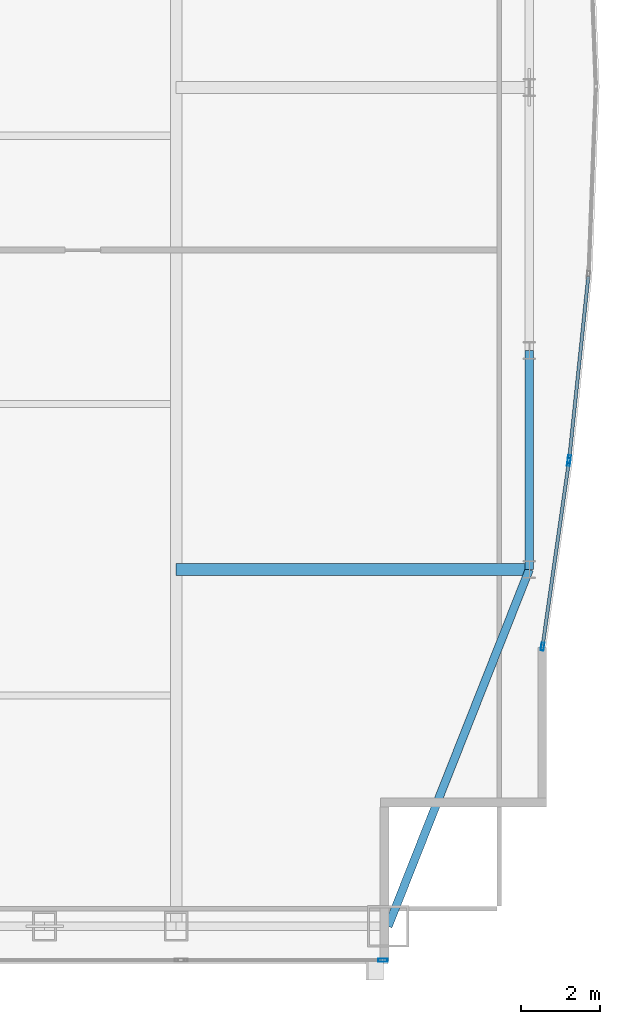
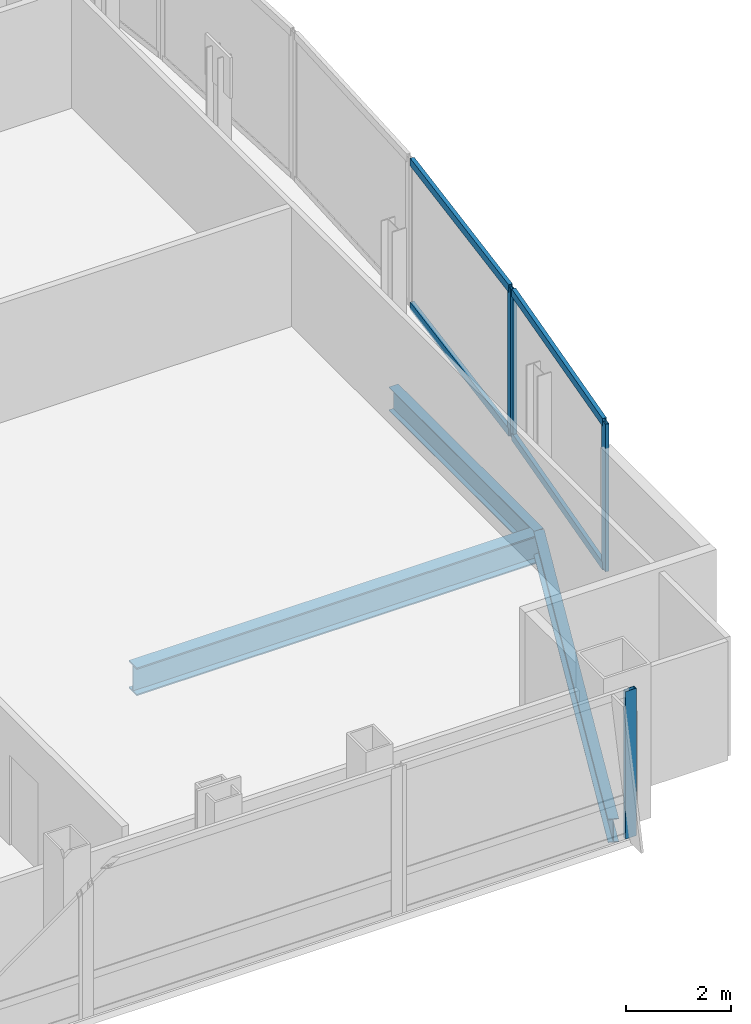
# One storey, part 16 of 30: 8 members, 3 beams, 3 elements without a shape of their own.
"""IFC4 building model written with IfcOpenShell, lengths in metres."""

from ifc_helpers import new_model, si_unit, direction, frame, origin, origin_2d, place, context, subcontext, project, spatial, hollow_rectangle, i_section, extrude, material, material_profile, profile_set, type_object, element, aggregate, save


model = new_model("IFC4")

# Units and contexts
model_context = context("Model", 3, precision=1e-05, world=origin(), true_north=direction((0.0, 1.0)))
body_context = subcontext(model_context, "Body", "Model", "MODEL_VIEW")
ifc_project = project(units=[si_unit("LENGTHUNIT", "METRE"), si_unit("AREAUNIT", "SQUARE_METRE"), si_unit("VOLUMEUNIT", "CUBIC_METRE"), si_unit("PLANEANGLEUNIT", "RADIAN"), si_unit("MASSUNIT", "GRAM", prefix="KILO")], contexts=[model_context])

# Site, building, storey
site_placement = place(None, origin())
site = spatial("IfcSite", under=ifc_project, at=site_placement, CompositionType="ELEMENT")
building_placement = place(site_placement, origin())
building = spatial("IfcBuilding", under=site, at=building_placement, Name="Khoronbel Lancet Exchange", CompositionType="ELEMENT")
storey_placement = place(building_placement, frame((0.0, 0.0, 280.60009765625)))
storey = spatial("IfcBuildingStorey", under=building, at=storey_placement, Name="L72", CompositionType="ELEMENT", Elevation=280.60009765625)

# Beams
ifc_material_1 = material(Name="Steel S355", Category="steel")
ifc_material_profile_1 = material_profile(ifc_material_1, i_section(OverallWidth=0.300048828125, OverallDepth=0.64990234375, WebThickness=0.01611328125, FlangeThickness=0.031005859375, at=origin_2d()), Name="HEB 650")
ifc_profile_set_1 = profile_set([ifc_material_profile_1], Name="Steel S355")
beam_type_1 = type_object("IfcBeamType", Name="BM-BG4", PredefinedType="BEAM", material=ifc_profile_set_1)
beam_1_placement = place(storey_placement, frame((54.675048828125, 19.199951171875, -0.485107421875), z_axis=(1.0, 0.0, 0.0), x_axis=(0.0, 1.0, 0.0)))
element("IfcBeam", 1, at=beam_1_placement, inside=storey, type_object=beam_type_1, Name="Level L72 east lens tie girder LG1E", PredefinedType="BEAM", context=body_context, shape_type="SweptSolid", body=[
    extrude(i_section(OverallWidth=0.300048828125, OverallDepth=0.64990234375, WebThickness=0.01611328125, FlangeThickness=0.031005859375, at=origin_2d()), origin(), (0.0, 0.0, 1.0), 8.954833984375),
])
ifc_material_profile_2 = material_profile(ifc_material_1, i_section(OverallWidth=0.2099609375, OverallDepth=0.550048828125, WebThickness=0.010986328125, FlangeThickness=0.01708984375, at=origin_2d()), Name="IPE 550")
ifc_profile_set_2 = profile_set([ifc_material_profile_2], Name="Steel S355")
beam_type_2 = type_object("IfcBeamType", Name="BM-BSP3", PredefinedType="SPANDREL", material=ifc_profile_set_2)
beam_2_placement = place(storey_placement, frame((60.050048828125, 10.14990234375, -0.43505859375), z_axis=(0.367828403855, 0.929893684954, 0.0), x_axis=(-0.929893684954, 0.367828403855, 0.0)))
element("IfcBeam", 2, at=beam_2_placement, inside=storey, type_object=beam_type_2, Name="Level L72 perimeter spandrel beam SP10", PredefinedType="SPANDREL", context=body_context, shape_type="SweptSolid", body=[
    extrude(i_section(OverallWidth=0.2099609375, OverallDepth=0.550048828125, WebThickness=0.010986328125, FlangeThickness=0.01708984375, at=origin_2d()), origin(), (0.0, 0.0, 1.0), 9.732421875),
])
beam_3_placement = place(storey_placement, frame((63.6298828125, 19.199951171875, -0.43505859375), z_axis=(0.0, 1.0, 0.0), x_axis=(-1.0, 0.0, 0.0)))
element("IfcBeam", 3, at=beam_3_placement, inside=storey, type_object=beam_type_2, Name="Level L72 perimeter spandrel beam SP11", PredefinedType="SPANDREL", context=body_context, shape_type="SweptSolid", body=[
    extrude(i_section(OverallWidth=0.2099609375, OverallDepth=0.550048828125, WebThickness=0.010986328125, FlangeThickness=0.01708984375, at=origin_2d()), origin(), (0.0, 0.0, 1.0), 5.550048828125),
])

# Curtain wall, member
ifc_material_2 = material(Name="Low-E Solar Control Insulating Glass", Category="glass")
curtain_wall_type_1 = type_object("IfcCurtainWallType", Name="CW-3", PredefinedType="NOTDEFINED", material=ifc_material_2)
curtain_wall_1_placement = place(storey_placement, origin())
curtain_wall_1 = element("IfcCurtainWall", 4, at=curtain_wall_1_placement, inside=storey, type_object=curtain_wall_type_1, Name="Unitised curtain wall CW-L72-SEV", PredefinedType="NOTDEFINED")
ifc_material_3 = material(Name="Bronze-Anodised Aluminium 6063-T6", Category="aluminium")
ifc_material_profile_3 = material_profile(ifc_material_3, hollow_rectangle(XDim=0.0849609375, YDim=0.239990234375, WallThickness=0.006103515625, at=origin_2d()), Name="ALU MULLION 85x240")
ifc_profile_set_3 = profile_set([ifc_material_profile_3], Name="Bronze-Anodised Aluminium 6063-T6")
member_type_1 = type_object("IfcMemberType", Name="MEM-CWM1", PredefinedType="MULLION", material=ifc_profile_set_3)
member_1_placement = place(storey_placement, frame((59.91748046875, 9.2900390625, 0.0), z_axis=(0.0, 0.0, 1.0), x_axis=(0.0, 1.0, 0.0)))
member_1 = element("IfcMember", 5, at=member_1_placement, type_object=member_type_1, Name="CW3 mullion 2", PredefinedType="MULLION", context=body_context, shape_type="SweptSolid", body=[
    extrude(hollow_rectangle(XDim=0.0849609375, YDim=0.239990234375, WallThickness=0.006103515625, at=origin_2d()), origin(), (0.0, 0.0, 1.0), 3.43994140625),
])
aggregate(curtain_wall_1, [member_1])

curtain_wall_type_2 = type_object("IfcCurtainWallType", Name="CW-4", PredefinedType="NOTDEFINED", material=ifc_material_2)
curtain_wall_2_placement = place(storey_placement, origin())
curtain_wall_2 = element("IfcCurtainWall", 6, at=curtain_wall_2_placement, inside=storey, type_object=curtain_wall_type_2, Name="Unitised curtain wall CW-L72-E21", PredefinedType="NOTDEFINED")
ifc_material_profile_4 = material_profile(ifc_material_3, hollow_rectangle(XDim=0.074951171875, YDim=0.199951171875, WallThickness=0.0048828125, at=origin_2d()), Name="ALU MULLION 75x200")
ifc_profile_set_4 = profile_set([ifc_material_profile_4], Name="Bronze-Anodised Aluminium 6063-T6")
member_type_2 = type_object("IfcMemberType", Name="MEM-CWM2", PredefinedType="MULLION", material=ifc_profile_set_4)
member_2_placement = place(storey_placement, frame((64.642333984375, 21.998291015625, 0.0), z_axis=(0.0, 0.0, 1.0), x_axis=(0.994590565659, -0.103873031641, 0.0)))
member_2 = element("IfcMember", 7, at=member_2_placement, type_object=member_type_2, Name="CW4 mullion 2", PredefinedType="MULLION", context=body_context, shape_type="SweptSolid", body=[
    extrude(hollow_rectangle(XDim=0.074951171875, YDim=0.199951171875, WallThickness=0.0048828125, at=origin_2d()), origin(), (0.0, 0.0, 1.0), 3.43994140625),
])

# Curtain wall, members
curtain_wall_3_placement = place(storey_placement, origin())
curtain_wall_3 = element("IfcCurtainWall", 8, at=curtain_wall_3_placement, inside=storey, type_object=curtain_wall_type_2, Name="Unitised curtain wall CW-L72-E22", PredefinedType="NOTDEFINED")
member_3_placement = place(storey_placement, frame((64.633056640625, 21.923828125, 0.0), z_axis=(0.0, 0.0, 1.0), x_axis=(0.989973632032, -0.141252284521, 0.0)))
member_3 = element("IfcMember", 9, at=member_3_placement, type_object=member_type_2, Name="CW4 mullion 1", PredefinedType="MULLION", context=body_context, shape_type="SweptSolid", body=[
    extrude(hollow_rectangle(XDim=0.074951171875, YDim=0.199951171875, WallThickness=0.0048828125, at=origin_2d()), origin(), (0.0, 0.0, 1.0), 3.43994140625),
])
member_4_placement = place(storey_placement, frame((63.96533203125, 17.243408203125, 0.0), z_axis=(0.0, 0.0, 1.0), x_axis=(0.989973632032, -0.141252284521, 0.0)))
member_4 = element("IfcMember", 10, at=member_4_placement, type_object=member_type_2, Name="CW4 mullion 2", PredefinedType="MULLION", context=body_context, shape_type="SweptSolid", body=[
    extrude(hollow_rectangle(XDim=0.074951171875, YDim=0.199951171875, WallThickness=0.0048828125, at=origin_2d()), origin(), (0.0, 0.0, 1.0), 3.43994140625),
])

# Member
ifc_material_profile_5 = material_profile(ifc_material_3, hollow_rectangle(XDim=0.0849609375, YDim=0.179931640625, WallThickness=0.0048828125, at=origin_2d()), Name="ALU TRANSOM 85x180")
ifc_profile_set_5 = profile_set([ifc_material_profile_5], Name="Bronze-Anodised Aluminium 6063-T6")
member_type_3 = type_object("IfcMemberType", Name="MEM-CWT1", PredefinedType="USERDEFINED", material=ifc_profile_set_5)
member_5_placement = place(storey_placement, frame((65.126220703125, 26.6318359375, 0.04248046875), z_axis=(-0.103865221273, -0.994591381327, 0.0), x_axis=(0.994591381327, -0.103865221273, 0.0)))
member_5 = element("IfcMember", 11, at=member_5_placement, type_object=member_type_3, Name="CW4 transom 1.1", ObjectType="TRANSOM", PredefinedType="USERDEFINED", context=body_context, shape_type="SweptSolid", body=[
    extrude(hollow_rectangle(XDim=0.0849609375, YDim=0.179931640625, WallThickness=0.0048828125, at=origin_2d()), origin(), (0.0, 0.0, 1.0), 4.62109375),
])

member_6_placement = place(storey_placement, frame((65.126220703125, 26.6318359375, 3.3974609375), z_axis=(-0.103865221273, -0.994591381327, 0.0), x_axis=(0.994591381327, -0.103865221273, 0.0)))
member_6 = element("IfcMember", 12, at=member_6_placement, type_object=member_type_3, Name="CW4 transom 1.2", ObjectType="TRANSOM", PredefinedType="USERDEFINED", context=body_context, shape_type="SweptSolid", body=[
    extrude(hollow_rectangle(XDim=0.0849609375, YDim=0.179931640625, WallThickness=0.0048828125, at=origin_2d()), origin(), (0.0, 0.0, 1.0), 4.62109375),
])

aggregate(curtain_wall_2, [member_2, member_5, member_6])

member_7_placement = place(storey_placement, frame((64.627685546875, 21.88671875, 0.04248046875), z_axis=(-0.141208307356, -0.989979905823, 0.0), x_axis=(0.989979905823, -0.141208307356, 0.0)))
member_7 = element("IfcMember", 13, at=member_7_placement, type_object=member_type_3, Name="CW4 transom 1.1", ObjectType="TRANSOM", PredefinedType="USERDEFINED", context=body_context, shape_type="SweptSolid", body=[
    extrude(hollow_rectangle(XDim=0.0849609375, YDim=0.179931640625, WallThickness=0.0048828125, at=origin_2d()), origin(), (0.0, 0.0, 1.0), 4.652587890625),
])

member_8_placement = place(storey_placement, frame((64.627685546875, 21.88671875, 3.3974609375), z_axis=(-0.141208307356, -0.989979905823, 0.0), x_axis=(0.989979905823, -0.141208307356, 0.0)))
member_8 = element("IfcMember", 14, at=member_8_placement, type_object=member_type_3, Name="CW4 transom 1.2", ObjectType="TRANSOM", PredefinedType="USERDEFINED", context=body_context, shape_type="SweptSolid", body=[
    extrude(hollow_rectangle(XDim=0.0849609375, YDim=0.179931640625, WallThickness=0.0048828125, at=origin_2d()), origin(), (0.0, 0.0, 1.0), 4.652587890625),
])

aggregate(curtain_wall_3, [member_3, member_4, member_7, member_8])

save(model, "model.ifc")
